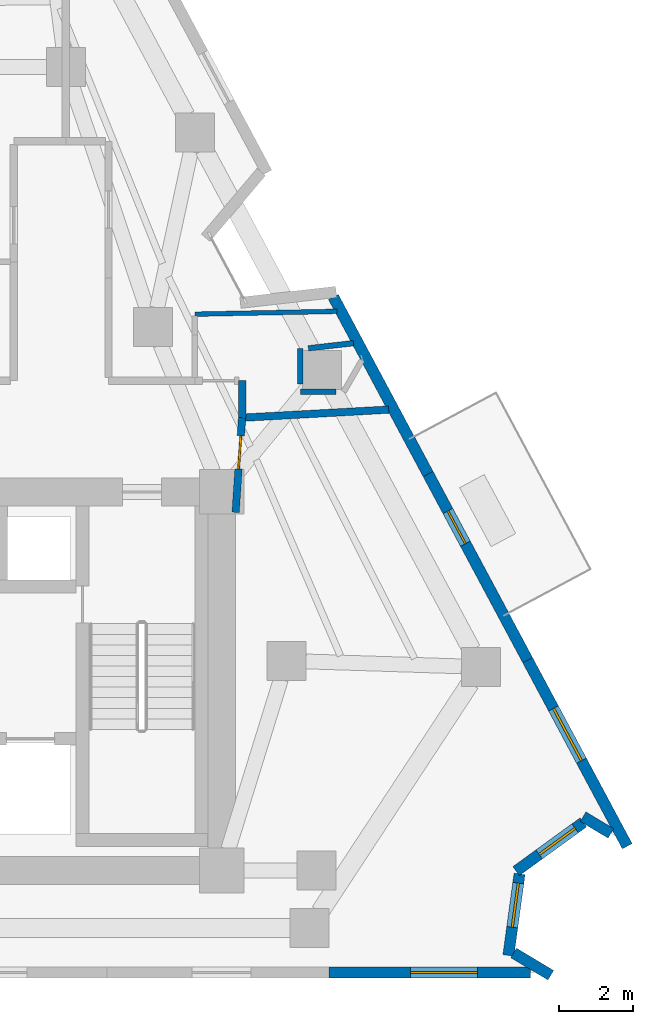
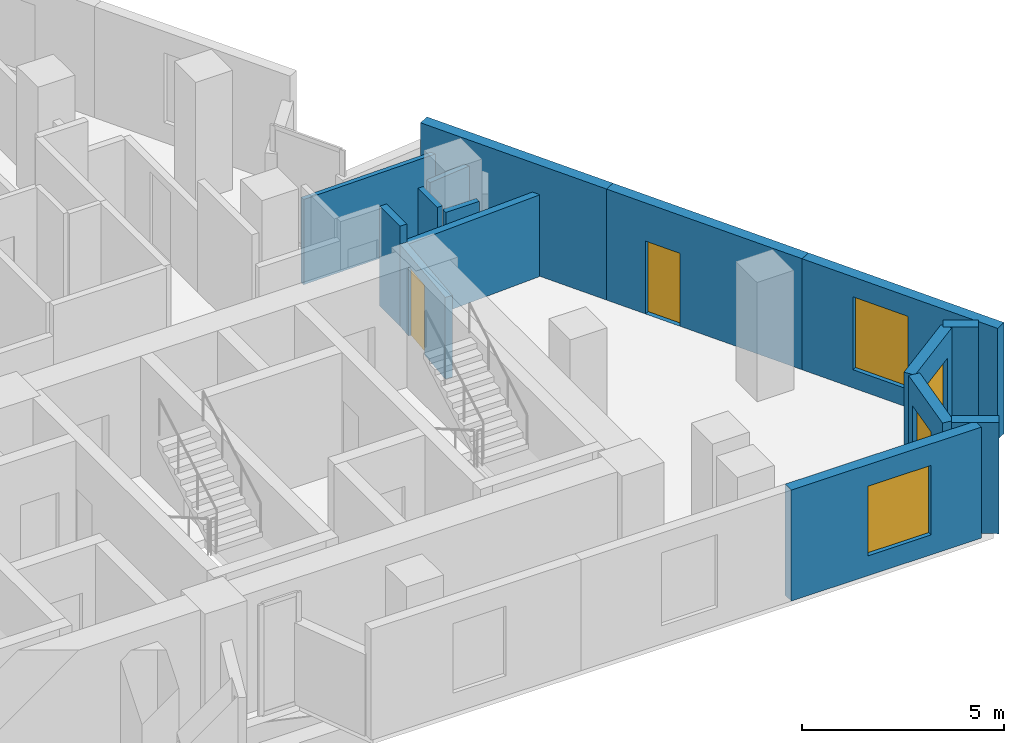
# One storey, part 8 of 12: 15 walls, 4 windows, 2 doors, 6 openings.
"""IFC4 building model written with IfcOpenShell, lengths in metres."""

from ifc_helpers import new_model, si_unit, direction, frame, frame_2d, origin, place, context, subcontext, project, spatial, rectangle, extrude, material, layer, layer_set, type_object, element, fill, save


model = new_model("IFC4")

# Units and contexts
model_context = context("Model", 3, precision=1e-05, world=origin(), true_north=direction((0.0, 1.0)))
body_context = subcontext(model_context, "Body", "Model", "MODEL_VIEW")
ifc_project = project(units=[si_unit("LENGTHUNIT", "METRE"), si_unit("AREAUNIT", "SQUARE_METRE"), si_unit("VOLUMEUNIT", "CUBIC_METRE"), si_unit("PLANEANGLEUNIT", "RADIAN"), si_unit("MASSUNIT", "GRAM", prefix="KILO")], contexts=[model_context])

# Site, building, storey
site_placement = place(None, origin())
site = spatial("IfcSite", under=ifc_project, at=site_placement, CompositionType="ELEMENT")
building_placement = place(site_placement, origin())
building = spatial("IfcBuilding", under=site, at=building_placement, Name="Almagre Mirador Tower", CompositionType="ELEMENT")
storey_placement = place(building_placement, frame((0.0, 0.0, 182.39990234375)))
storey = spatial("IfcBuildingStorey", under=building, at=storey_placement, Name="L47", CompositionType="ELEMENT", Elevation=182.39990234375)

# Wall
ifc_material_1 = material(Name="Precast concrete C50/60", Category="concrete")
ifc_layer_1 = layer(ifc_material_1, 0.300048828125)
ifc_layer_set_1 = layer_set([ifc_layer_1], Name="Precast concrete C50/60")
wall_type_1 = type_object("IfcWallType", Name="WAL-EXT-300", PredefinedType="SOLIDWALL", material=ifc_layer_set_1)
wall_1_placement = place(storey_placement, frame((50.059814453125, 20.005859375, 0.0), z_axis=(0.0, 0.0, 1.0), x_axis=(0.471725656125, -0.881745374444, 0.0)))
element("IfcWall", 1, at=wall_1_placement, inside=storey, type_object=wall_type_1, Name="L47 expressed almagre precast frame wall 14", PredefinedType="SOLIDWALL", context=body_context, shape_type="SweptSolid", body=[
    extrude(rectangle(XDim=5.41259765625, YDim=0.300048828125, at=frame_2d((2.706298828125, 0.0))), origin(), (0.0, 0.0, 1.0), 3.35009765625),
])

# Wall, opening, door
wall_2_placement = place(storey_placement, frame((52.613037109375, 15.2333984375, 0.0), z_axis=(0.0, 0.0, 1.0), x_axis=(0.471717450859, -0.881749764137, 0.0)))
wall_2 = element("IfcWall", 2, at=wall_2_placement, inside=storey, type_object=wall_type_1, Name="L47 expressed almagre precast frame wall 15", PredefinedType="SOLIDWALL", context=body_context, shape_type="SweptSolid", body=[
    extrude(rectangle(XDim=5.6875, YDim=0.300048828125, at=frame_2d((2.84375, 0.0))), origin(), (0.0, 0.0, 1.0), 3.35009765625),
])
opening_1_placement = place(wall_2_placement, frame((1.130126953125, 0.0, 0.0)))
opening_1 = element("IfcOpeningElement", 3, at=opening_1_placement, cuts=wall_2, Name="Opening BD-01", PredefinedType="OPENING", context=body_context, shape_type="SweptSolid", body=[
    extrude(rectangle(XDim=1.0, YDim=2.199951171875, at=frame_2d((0.5, 1.10009765625))), frame((0.0, 0.159902, 0.0), z_axis=(0.0, -1.0, 0.0), x_axis=(1.0, 0.0, 0.0)), (0.0, 0.0, 1.0), 0.320049),
])
ifc_material_2 = material(Name="Black anodized aluminium and laminated glass", Category="aluminium")
door_type_1 = type_object("IfcDoorType", Name="DOR-BAL-1000X2200", OperationType="NOTDEFINED", PredefinedType="DOOR", material=ifc_material_2)
door_1_placement = place(opening_1_placement, origin())
door_1 = element("IfcDoor", 4, at=door_1_placement, inside=storey, type_object=door_type_1, Name="DR-1484 L47 east balcony glazed door 1", OperationType="SINGLE_SWING_RIGHT", OverallHeight=2.199951171875, OverallWidth=1.0, PredefinedType="DOOR", context=body_context, shape_type="SweptSolid", body=[
    extrude(rectangle(XDim=1.0, YDim=2.199951171875, at=frame_2d((0.5, 1.10009765625))), frame((0.0, 0.02490234375, 0.0), z_axis=(0.0, -1.0, 0.0), x_axis=(1.0, 0.0, 0.0)), (0.0, 0.0, 1.0), 0.050048828125),
])
fill(opening_1, door_1)

# Wall, opening, window
wall_3_placement = place(storey_placement, frame((55.2958984375, 10.218505859375, 0.0), z_axis=(0.0, 0.0, 1.0), x_axis=(0.471750824323, -0.881731909228, 0.0)))
wall_3 = element("IfcWall", 5, at=wall_3_placement, inside=storey, type_object=wall_type_1, Name="L47 expressed almagre precast frame wall 16", PredefinedType="SOLIDWALL", context=body_context, shape_type="SweptSolid", body=[
    extrude(rectangle(XDim=5.6875, YDim=0.300048828125, at=frame_2d((2.84375, 0.0))), origin(), (0.0, 0.0, 1.0), 3.35009765625),
])
opening_2_placement = place(wall_3_placement, frame((1.47509765625, 0.0, 0.550048828125)))
opening_2 = element("IfcOpeningElement", 6, at=opening_2_placement, cuts=wall_3, Name="Opening WN-06", PredefinedType="OPENING", context=body_context, shape_type="SweptSolid", body=[
    extrude(rectangle(XDim=1.60009765625, YDim=2.199951171875, at=frame_2d((0.800048828125, 1.10009765625))), frame((0.0, 0.159902, 0.0), z_axis=(0.0, -1.0, 0.0), x_axis=(1.0, 0.0, 0.0)), (0.0, 0.0, 1.0), 0.320049),
])
ifc_material_3 = material(Name="Dark solar-control laminated hurricane glass", Category="glass")
window_type_1 = type_object("IfcWindowType", Name="WIN-1600X2200", PartitioningType="DOUBLE_PANEL_VERTICAL", PredefinedType="WINDOW", material=ifc_material_3)
window_1_placement = place(opening_2_placement, origin())
window_1 = element("IfcWindow", 7, at=window_1_placement, inside=storey, type_object=window_type_1, Name="L47 recessed hurricane window L47-UC-KT", OverallHeight=2.199951171875, OverallWidth=1.60009765625, PartitioningType="SINGLE_PANEL", PredefinedType="WINDOW", context=body_context, shape_type="SweptSolid", body=[
    extrude(rectangle(XDim=1.60009765625, YDim=2.199951171875, at=frame_2d((0.800048828125, 1.10009765625))), frame((0.0, 0.030029296875, 0.0), z_axis=(0.0, -1.0, 0.0), x_axis=(1.0, 0.0, 0.0)), (0.0, 0.0, 1.0), 0.06005859375),
])
fill(opening_2, window_1)

# Wall
wall_4_placement = place(storey_placement, frame((57.539794921875, 5.55029296875, 0.0), z_axis=(0.0, 0.0, 1.0), x_axis=(-0.857935586933, 0.513757266297, 0.0)))
element("IfcWall", 8, at=wall_4_placement, inside=storey, type_object=wall_type_1, Name="L47 expressed almagre precast frame wall 17", PredefinedType="SOLIDWALL", context=body_context, shape_type="SweptSolid", body=[
    extrude(rectangle(XDim=0.875244140625, YDim=0.300048828125, at=frame_2d((0.4375, 0.0))), origin(), (0.0, 0.0, 1.0), 3.35009765625),
])

# Wall, opening, window
wall_5_placement = place(storey_placement, frame((56.795654296875, 5.845947265625, 0.0), z_axis=(0.0, 0.0, 1.0), x_axis=(-0.809618227437, -0.586956834701, 0.0)))
wall_5 = element("IfcWall", 9, at=wall_5_placement, inside=storey, type_object=wall_type_1, Name="L47 expressed almagre precast frame wall 18", PredefinedType="SOLIDWALL", context=body_context, shape_type="SweptSolid", body=[
    extrude(rectangle(XDim=2.235595703125, YDim=0.300048828125, at=frame_2d((1.11767578125, 0.0))), origin(), (0.0, 0.0, 1.0), 3.35009765625),
])
opening_3_placement = place(wall_5_placement, frame((0.27001953125, 0.0, 0.800048828125)))
opening_3 = element("IfcOpeningElement", 10, at=opening_3_placement, cuts=wall_5, Name="Opening WN-04", PredefinedType="OPENING", context=body_context, shape_type="SweptSolid", body=[
    extrude(rectangle(XDim=1.199951171875, YDim=1.800048828125, at=frame_2d((0.60009765625, 0.89990234375))), frame((0.0, 0.159902, 0.0), z_axis=(0.0, -1.0, 0.0), x_axis=(1.0, 0.0, 0.0)), (0.0, 0.0, 1.0), 0.320049),
])
ifc_material_4 = material(Name="Dark solar-control laminated hurricane glass", Category="glass")
window_type_2 = type_object("IfcWindowType", Name="WIN-1200X1800", PartitioningType="SINGLE_PANEL", PredefinedType="WINDOW", material=ifc_material_4)
window_2_placement = place(opening_3_placement, origin())
window_2 = element("IfcWindow", 11, at=window_2_placement, inside=storey, type_object=window_type_2, Name="L47 recessed hurricane window L47-UC-KT", OverallHeight=1.800048828125, OverallWidth=1.199951171875, PartitioningType="SINGLE_PANEL", PredefinedType="WINDOW", context=body_context, shape_type="SweptSolid", body=[
    extrude(rectangle(XDim=1.199951171875, YDim=1.800048828125, at=frame_2d((0.60009765625, 0.89990234375))), frame((0.0, 0.030029296875, 0.0), z_axis=(0.0, -1.0, 0.0), x_axis=(1.0, 0.0, 0.0)), (0.0, 0.0, 1.0), 0.06005859375),
])
fill(opening_3, window_2)

wall_6_placement = place(storey_placement, frame((55.077392578125, 4.45751953125, 0.0), z_axis=(0.0, 0.0, 1.0), x_axis=(-0.135526215052, -0.990773760772, 0.0)))
wall_6 = element("IfcWall", 12, at=wall_6_placement, inside=storey, type_object=wall_type_1, Name="L47 expressed almagre precast frame wall 19", PredefinedType="SOLIDWALL", context=body_context, shape_type="SweptSolid", body=[
    extrude(rectangle(XDim=2.2158203125, YDim=0.300048828125, at=frame_2d((1.10791015625, 0.0))), origin(), (0.0, 0.0, 1.0), 3.35009765625),
])
opening_4_placement = place(wall_6_placement, frame((0.25, 0.0, 0.800048828125)))
opening_4 = element("IfcOpeningElement", 13, at=opening_4_placement, cuts=wall_6, Name="Opening WN-04", PredefinedType="OPENING", context=body_context, shape_type="SweptSolid", body=[
    extrude(rectangle(XDim=1.199951171875, YDim=1.800048828125, at=frame_2d((0.60009765625, 0.89990234375))), frame((0.0, 0.159902, 0.0), z_axis=(0.0, -1.0, 0.0), x_axis=(1.0, 0.0, 0.0)), (0.0, 0.0, 1.0), 0.320049),
])
window_3_placement = place(opening_4_placement, origin())
window_3 = element("IfcWindow", 14, at=window_3_placement, inside=storey, type_object=window_type_2, Name="L47 recessed hurricane window L47-UC-BT", OverallHeight=1.800048828125, OverallWidth=1.199951171875, PartitioningType="SINGLE_PANEL", PredefinedType="WINDOW", context=body_context, shape_type="SweptSolid", body=[
    extrude(rectangle(XDim=1.199951171875, YDim=1.800048828125, at=frame_2d((0.60009765625, 0.89990234375))), frame((0.0, 0.030029296875, 0.0), z_axis=(0.0, -1.0, 0.0), x_axis=(1.0, 0.0, 0.0)), (0.0, 0.0, 1.0), 0.06005859375),
])
fill(opening_4, window_3)

# Wall
wall_7_placement = place(storey_placement, frame((54.916015625, 2.3291015625, 0.0), z_axis=(0.0, 0.0, 1.0), x_axis=(0.858026268656, -0.513605804384, 0.0)))
element("IfcWall", 15, at=wall_7_placement, inside=storey, type_object=wall_type_1, Name="L47 expressed almagre precast frame wall 20", PredefinedType="SOLIDWALL", context=body_context, shape_type="SweptSolid", body=[
    extrude(rectangle(XDim=1.17041015625, YDim=0.300048828125, at=frame_2d((0.585205078125, 0.0))), origin(), (0.0, 0.0, 1.0), 3.35009765625),
])

# Wall, opening, window
wall_8_placement = place(storey_placement, frame((55.3701171875, 1.800048828125, 0.0), z_axis=(0.0, 0.0, 1.0), x_axis=(-1.0, 0.0, 0.0)))
wall_8 = element("IfcWall", 16, at=wall_8_placement, inside=storey, type_object=wall_type_1, Name="L47 expressed almagre precast frame wall 21", PredefinedType="SOLIDWALL", context=body_context, shape_type="SweptSolid", body=[
    extrude(rectangle(XDim=5.42333984375, YDim=0.300048828125, at=frame_2d((2.711669921875, 0.0))), origin(), (0.0, 0.0, 1.0), 3.35009765625),
])
opening_5_placement = place(wall_8_placement, frame((1.429931640625, 0.0, 0.60009765625)))
opening_5 = element("IfcOpeningElement", 17, at=opening_5_placement, cuts=wall_8, Name="Opening WN-01", PredefinedType="OPENING", context=body_context, shape_type="SweptSolid", body=[
    extrude(rectangle(XDim=1.800048828125, YDim=2.10009765625, at=frame_2d((0.89990234375, 1.050048828125))), frame((0.0, 0.159902, 0.0), z_axis=(0.0, -1.0, 0.0), x_axis=(1.0, 0.0, 0.0)), (0.0, 0.0, 1.0), 0.320049),
])
ifc_material_5 = material(Name="Dark solar-control laminated hurricane glass", Category="glass")
window_type_3 = type_object("IfcWindowType", Name="WIN-1800X2100", PartitioningType="DOUBLE_PANEL_VERTICAL", PredefinedType="WINDOW", material=ifc_material_5)
window_4_placement = place(opening_5_placement, origin())
window_4 = element("IfcWindow", 18, at=window_4_placement, inside=storey, type_object=window_type_3, Name="L47 recessed hurricane window L47-UC-BT", OverallHeight=2.10009765625, OverallWidth=1.800048828125, PartitioningType="SINGLE_PANEL", PredefinedType="WINDOW", context=body_context, shape_type="SweptSolid", body=[
    extrude(rectangle(XDim=1.800048828125, YDim=2.10009765625, at=frame_2d((0.89990234375, 1.050048828125))), frame((0.0, 0.030029296875, 0.0), z_axis=(0.0, -1.0, 0.0), x_axis=(1.0, 0.0, 0.0)), (0.0, 0.0, 1.0), 0.06005859375),
])
fill(opening_5, window_4)

# Walls
ifc_material_6 = material(Name="Gypsum acoustic stud partition", Category="other")
ifc_layer_2 = layer(ifc_material_6, 0.125)
ifc_layer_set_2 = layer_set([ifc_layer_2], Name="Gypsum acoustic stud partition")
wall_type_2 = type_object("IfcWallType", Name="WAL-PRT-125-UTL", PredefinedType="PARTITIONING", material=ifc_layer_set_2)
wall_9_placement = place(storey_placement, frame((46.330078125, 19.5400390625, 0.0), z_axis=(0.0, 0.0, 1.0), x_axis=(0.999797833356, 0.020107024038, 0.0)))
element("IfcWall", 19, at=wall_9_placement, inside=storey, type_object=wall_type_2, Name="L47 interior partition 039", PredefinedType="PARTITIONING", context=body_context, shape_type="SweptSolid", body=[
    extrude(rectangle(XDim=3.82470703125, YDim=0.125, at=frame_2d((1.912353515625, 0.0))), origin(), (0.0, 0.0, 1.0), 2.570068359375),
])
ifc_material_7 = material(Name="Gypsum acoustic stud partition", Category="other")
ifc_layer_3 = layer(ifc_material_7, 0.14990234375)
ifc_layer_set_3 = layer_set([ifc_layer_3], Name="Gypsum acoustic stud partition")
wall_type_3 = type_object("IfcWallType", Name="WAL-PRT-150-STD", PredefinedType="PARTITIONING", material=ifc_layer_set_3)
for number, where, z_axis, x_axis, name in (
    (20, (50.125, 17.449951171875, 0.0), (0.0, 0.0, 1.0), (-1.0, 0.0, 0.0), "L47 interior partition 056"),
    (21, (49.169921875, 17.6650390625, 0.0), (0.0, 0.0, 1.0), (0.0, 1.0, 0.0), "L47 interior partition 057"),
):
    element("IfcWall", number, at=place(storey_placement, frame(where, z_axis=z_axis, x_axis=x_axis)), inside=storey, type_object=wall_type_3, Name=name, PredefinedType="PARTITIONING", context=body_context, shape_type="SweptSolid", body=[
        extrude(rectangle(XDim=0.955078125, YDim=0.14990234375, at=frame_2d((0.4775390625, 0.0))), origin(), (0.0, 0.0, 1.0), 2.464111328125),
    ])
wall_10_placement = place(storey_placement, frame((49.385009765625, 18.6201171875, 0.0), z_axis=(0.0, 0.0, 1.0), x_axis=(0.993458591967, 0.11419293344, 0.0)))
element("IfcWall", 22, at=wall_10_placement, inside=storey, type_object=wall_type_3, Name="L47 interior partition 058", PredefinedType="PARTITIONING", context=body_context, shape_type="SweptSolid", body=[
    extrude(rectangle(XDim=1.22509765625, YDim=0.14990234375, at=frame_2d((0.612548828125, 0.0))), origin(), (0.0, 0.0, 1.0), 2.570068359375),
])

# Wall, opening, door
ifc_material_8 = material(Name="Gypsum acoustic stud partition", Category="other")
ifc_layer_4 = layer(ifc_material_8, 0.199951171875)
ifc_layer_set_4 = layer_set([ifc_layer_4], Name="Gypsum acoustic stud partition")
wall_type_4 = type_object("IfcWallType", Name="WAL-PRT-200-EI60", PredefinedType="PARTITIONING", material=ifc_layer_set_4)
wall_11_placement = place(storey_placement, frame((47.425048828125, 14.199951171875, 0.0), z_axis=(0.0, 0.0, 1.0), x_axis=(0.068484119878, 0.997652206595, 0.0)))
wall_11 = element("IfcWall", 23, at=wall_11_placement, inside=storey, type_object=wall_type_4, Name="L47 interior partition 004", PredefinedType="PARTITIONING", context=body_context, shape_type="SweptSolid", body=[
    extrude(rectangle(XDim=2.55615234375, YDim=0.199951171875, at=frame_2d((1.278076171875, 0.0))), origin(), (0.0, 0.0, 1.0), 2.464111328125),
])
opening_6_placement = place(wall_11_placement, frame((1.172119140625, 0.0, 0.0)))
opening_6 = element("IfcOpeningElement", 24, at=opening_6_placement, cuts=wall_11, Name="Opening ID-03", PredefinedType="OPENING", context=body_context, shape_type="SweptSolid", body=[
    extrude(rectangle(XDim=0.89990234375, YDim=2.10009765625, at=frame_2d((0.449951171875, 1.050048828125))), frame((0.0, 0.110098, 0.0), z_axis=(0.0, -1.0, 0.0), x_axis=(1.0, 0.0, 0.0)), (0.0, 0.0, 1.0), 0.219951),
])
ifc_material_9 = material(Name="Fire-rated hollow steel", Category="steel")
door_type_2 = type_object("IfcDoorType", Name="DOR-FD60-900X2100", OperationType="NOTDEFINED", PredefinedType="DOOR", material=ifc_material_9)
door_2_placement = place(opening_6_placement, origin())
door_2 = element("IfcDoor", 25, at=door_2_placement, inside=storey, type_object=door_type_2, Name="DR-1490 L47 interior door L47-RCOR to L47-RST-B", OperationType="SINGLE_SWING_RIGHT", OverallHeight=2.10009765625, OverallWidth=0.89990234375, PredefinedType="DOOR", context=body_context, shape_type="SweptSolid", body=[
    extrude(rectangle(XDim=0.89990234375, YDim=2.10009765625, at=frame_2d((0.449951171875, 1.050048828125))), frame((0.0, 0.02490234375, 0.0), z_axis=(0.0, -1.0, 0.0), x_axis=(1.0, 0.0, 0.0)), (0.0, 0.0, 1.0), 0.050048828125),
])
fill(opening_6, door_2)

# Walls
wall_12_placement = place(storey_placement, frame((47.60009765625, 16.75, 0.0), z_axis=(0.0, 0.0, 1.0), x_axis=(0.0, 1.0, 0.0)))
element("IfcWall", 26, at=wall_12_placement, inside=storey, type_object=wall_type_4, Name="L47 interior partition 013", PredefinedType="PARTITIONING", context=body_context, shape_type="SweptSolid", body=[
    extrude(rectangle(XDim=1.0, YDim=0.199951171875, at=frame_2d((0.5, 0.0))), origin(), (0.0, 0.0, 1.0), 3.010009765625),
])
wall_13_placement = place(storey_placement, frame((51.551025390625, 16.968994140625, 0.0), z_axis=(0.0, 0.0, 1.0), x_axis=(-0.998463068017, -0.055421131396, 0.0)))
element("IfcWall", 27, at=wall_13_placement, inside=storey, type_object=wall_type_4, Name="L47 interior partition 029", PredefinedType="PARTITIONING", context=body_context, shape_type="SweptSolid", body=[
    extrude(rectangle(XDim=3.8720703125, YDim=0.199951171875, at=frame_2d((1.93603515625, 0.0))), origin(), (0.0, 0.0, 1.0), 2.464111328125),
])

save(model, "model.ifc")
